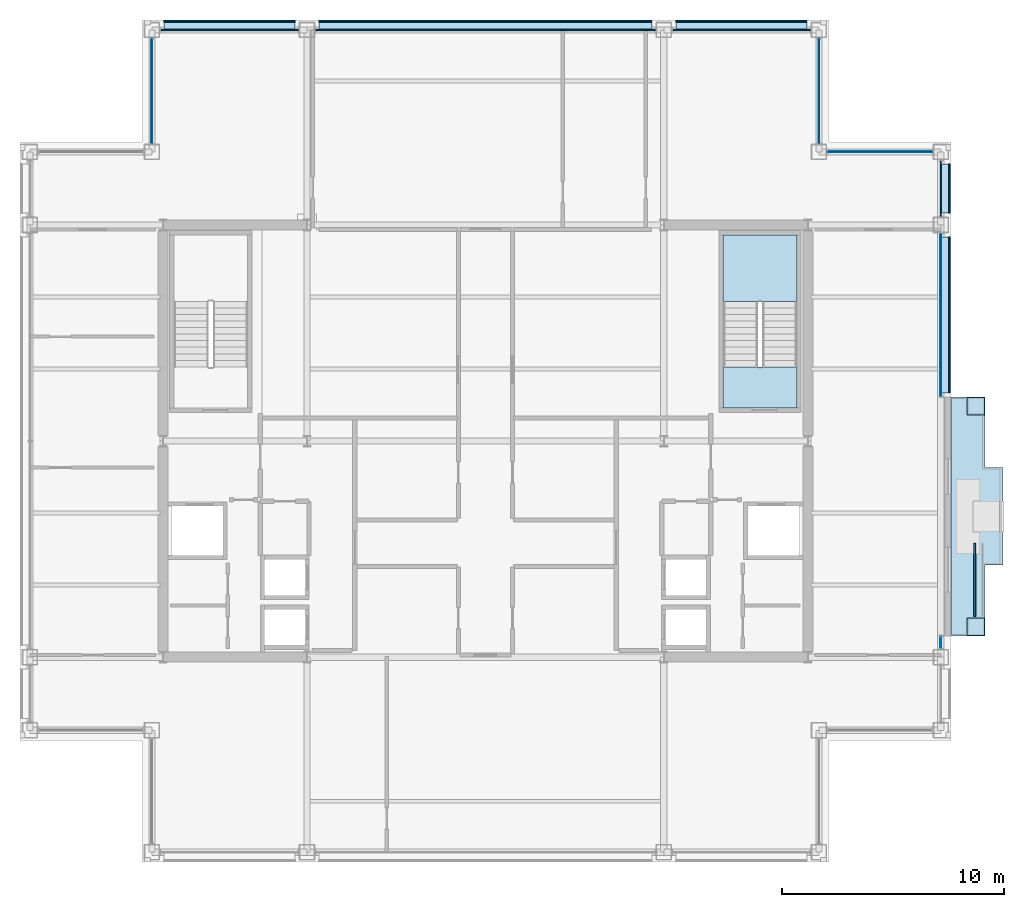
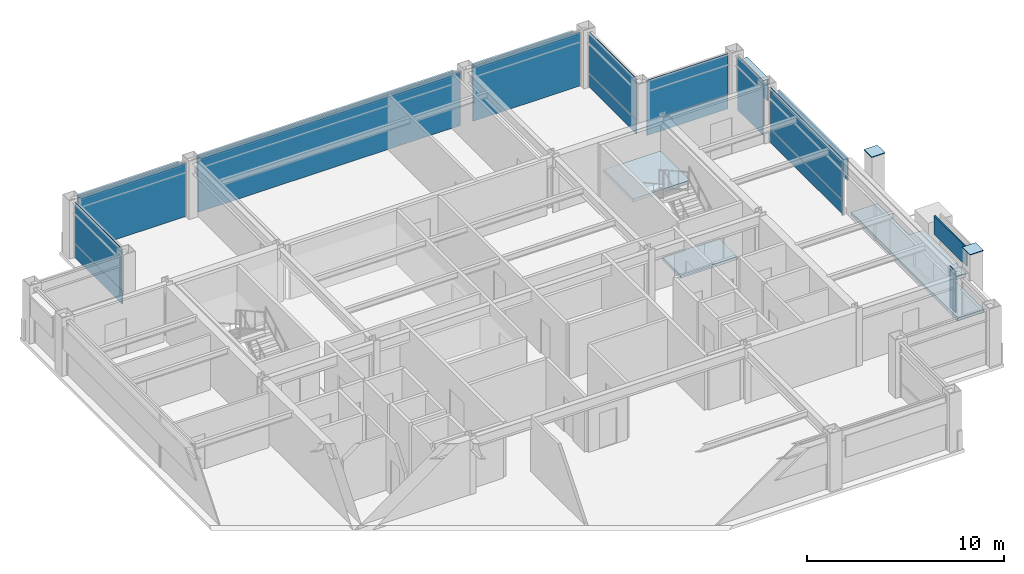
# One storey, part 23 of 28: 26 plates, 3 slabs, 10 elements without a shape of their own.
"""IFC4 building model written with IfcOpenShell, lengths in metres."""

import ifcopenshell
import ifcopenshell.guid

model = None  # the IFC model being written
_history = None  # IfcOwnerHistory: only IFC2X3 demands one
_inside = {}  # id of a spatial element -> (the spatial element, [elements in it])
_under = {}  # id of a project, library or spatial element -> (it, [spatial elements below it])
_declared = {}  # id of a project -> (the project, [libraries it declares])
_typed = {}  # id of a type object -> (the type object, [elements of that type])
_made_of = {}  # id of a material, layer set ... -> (it, [elements and type objects made of it])


def new_model(schema):
    """Start an empty IFC model of exactly this schema.

    Asked for "IFC4X3", IfcOpenShell would pick the latest addendum, in which some entities
    have other attributes; the version numbers below select the first issue.
    IFC2X3 requires an IfcOwnerHistory on every rooted entity: one is made here for all.
    """
    global model, _history
    if schema == "IFC4X3":
        model = ifcopenshell.file(schema_version=(4, 3, 0, 0))
    else:
        model = ifcopenshell.file(schema=schema)
    _inside.clear()
    _under.clear()
    _declared.clear()
    _typed.clear()
    _made_of.clear()
    _history = None
    if model.schema == "IFC2X3":
        org = make("IfcOrganization", Name="unknown")
        user = make(
            "IfcPersonAndOrganization",
            ThePerson=make("IfcPerson", FamilyName="unknown"),
            TheOrganization=org,
        )
        app = make(
            "IfcApplication",
            ApplicationDeveloper=org,
            Version="unknown",
            ApplicationFullName="unknown",
            ApplicationIdentifier="unknown",
        )
        _history = make(
            "IfcOwnerHistory",
            OwningUser=user,
            OwningApplication=app,
            ChangeAction="ADDED",
            CreationDate=0,
        )
    return model


def make(cls, **values):
    """One entity of the class cls with the attributes given. An attribute that is None is left unset."""
    return model.create_entity(
        cls, **{name: value for name, value in values.items() if value is not None}
    )


def rooted(cls, **values):
    """An entity with a GlobalId (a new one), such as an element, a storey or a relation."""
    return make(cls, GlobalId=ifcopenshell.guid.new(), OwnerHistory=_history, **values)


def si_unit(unit_type, name, prefix=None):
    """IfcSIUnit, for example si_unit("LENGTHUNIT", "METRE", prefix="MILLI")."""
    return make("IfcSIUnit", UnitType=unit_type, Prefix=prefix, Name=name)


def assignment(units):
    """IfcUnitAssignment: the units of a project."""
    return None if units is None else make("IfcUnitAssignment", Units=units)


def point(xyz):
    """IfcCartesianPoint."""
    return None if xyz is None else make("IfcCartesianPoint", Coordinates=xyz)


def direction(xyz):
    """IfcDirection."""
    return None if xyz is None else make("IfcDirection", DirectionRatios=xyz)


def frame(location, z_axis=None, x_axis=None):
    """IfcAxis2Placement3D, a coordinate frame: its origin and axes. An axis left out is left unset."""
    return make(
        "IfcAxis2Placement3D",
        Location=point(location),
        Axis=direction(z_axis),
        RefDirection=direction(x_axis),
    )


def frame_2d(location, x_axis=None):
    """IfcAxis2Placement2D, a coordinate frame in the plane: its origin and x axis."""
    return make(
        "IfcAxis2Placement2D", Location=point(location), RefDirection=direction(x_axis)
    )


def origin():
    """The frame at (0, 0, 0) with its axes left unset."""
    return frame((0.0, 0.0, 0.0))


def origin_2d():
    """The frame at (0, 0) in the plane with its x axis left unset."""
    return frame_2d((0.0, 0.0))


def place(relative_to, where):
    """IfcLocalPlacement: puts the frame where relative to a parent placement (None: the world)."""
    return make(
        "IfcLocalPlacement", PlacementRelTo=relative_to, RelativePlacement=where
    )


def context(
    kind, dimensions, precision=None, world=None, true_north=None, identifier=None
):
    """IfcGeometricRepresentationContext, for example the 3D "Model" context."""
    return make(
        "IfcGeometricRepresentationContext",
        ContextIdentifier=identifier,
        ContextType=kind,
        CoordinateSpaceDimension=dimensions,
        Precision=precision,
        WorldCoordinateSystem=world,
        TrueNorth=true_north,
    )


def subcontext(parent, identifier, kind, view, scale=None):
    """IfcGeometricRepresentationSubContext, for example "Body" below "Model"."""
    return make(
        "IfcGeometricRepresentationSubContext",
        ContextIdentifier=identifier,
        ContextType=kind,
        ParentContext=parent,
        TargetScale=scale,
        TargetView=view,
    )


def project(units=None, contexts=None):
    """IfcProject with its units and contexts."""
    return rooted(
        "IfcProject",
        Name="project",
        RepresentationContexts=contexts,
        UnitsInContext=assignment(units),
    )


def spatial(cls, under=None, at=None, **own):
    """A site, building, storey or space (cls), placed at a placement, below another one or the project."""
    s = rooted(cls, ObjectPlacement=at, **own)
    if under is not None:
        _under.setdefault(under.id(), (under, []))[1].append(s)
    return s


def polyline(points):
    """IfcPolyline through the points."""
    return make("IfcPolyline", Points=[point(p) for p in points])


def profile(cls, at=None, kind="AREA", **sizes):
    """A parametric profile (cls). Its sizes go by their IFC names, for example OverallWidth=200.0."""
    return make(cls, ProfileType=kind, Position=at, **sizes)


def rectangle(**sizes):
    """IfcRectangleProfileDef."""
    return profile("IfcRectangleProfileDef", **sizes)


def outline(outer, holes=None, kind="AREA"):
    """IfcArbitraryClosedProfileDef: a profile drawn as a closed curve; with holes, ...WithVoids."""
    if holes is None:
        return make("IfcArbitraryClosedProfileDef", ProfileType=kind, OuterCurve=outer)
    return make(
        "IfcArbitraryProfileDefWithVoids",
        ProfileType=kind,
        OuterCurve=outer,
        InnerCurves=holes,
    )


def extrude(swept, where, along, depth):
    """IfcExtrudedAreaSolid: the profile swept, set in the frame where, extruded along a direction by depth."""
    return make(
        "IfcExtrudedAreaSolid",
        SweptArea=swept,
        Position=where,
        ExtrudedDirection=direction(along),
        Depth=depth,
    )


def shape(context_of_items, identifier, shape_type, items):
    """IfcShapeRepresentation: the items that make up one representation, for example the "Body"."""
    return make(
        "IfcShapeRepresentation",
        ContextOfItems=context_of_items,
        RepresentationIdentifier=identifier,
        RepresentationType=shape_type,
        Items=items,
    )


def material(Name=None, Category=None):
    """IfcMaterial."""
    return make("IfcMaterial", Name=Name, Category=Category)


def layer(
    of_material, thickness, ventilated=None, Name=None, Category=None, Priority=None
):
    """IfcMaterialLayer: one layer of a wall or slab, of a material (None: an air gap)."""
    return make(
        "IfcMaterialLayer",
        Material=of_material,
        LayerThickness=thickness,
        IsVentilated=ventilated,
        Name=Name,
        Category=Category,
        Priority=Priority,
    )


def layer_set(layers, Name=None):
    """IfcMaterialLayerSet."""
    return make("IfcMaterialLayerSet", MaterialLayers=layers, LayerSetName=Name)


def made_of(thing, what):
    """Note that an element or type object is made of a material, layer set ...; save() writes the relation."""
    if what is not None:
        _made_of.setdefault(what.id(), (what, []))[1].append(thing)
    return thing


def type_object(cls, material=None, **own):
    """A type object (cls), such as IfcWallType, which elements share."""
    return made_of(rooted(cls, **own), material)


def element(
    cls,
    number,
    at=None,
    inside=None,
    cuts=None,
    type_object=None,
    material=None,
    context=None,
    identifier="Body",
    shape_type=None,
    held_by="IfcProductDefinitionShape",
    body=None,
    shapes=None,
    **own,
):
    """One element of the class cls, such as IfcWall. Its Tag is "e" and its number.

    at: its placement. inside: the storey or other place that contains it. cuts: it is an
    opening in that element (IfcRelVoidsElement). A single representation is given by context,
    identifier, shape_type and body (its items); several are given by shapes. held_by: the class
    of the entity that holds the representations. save() writes the other relations.
    """
    e = rooted(cls, Tag="e%d" % number, ObjectPlacement=at, **own)
    if body is not None:
        shapes = [shape(context, identifier, shape_type, body)]
    if shapes is not None:
        e.Representation = make(held_by, Representations=shapes)
    if inside is not None:
        _inside.setdefault(inside.id(), (inside, []))[1].append(e)
    if cuts is not None:
        rooted(
            "IfcRelVoidsElement", RelatingBuildingElement=cuts, RelatedOpeningElement=e
        )
    if type_object is not None:
        _typed.setdefault(type_object.id(), (type_object, []))[1].append(e)
    return made_of(e, material)


def aggregate(whole, parts):
    """IfcRelAggregates: a whole, such as a stair, and the parts it consists of."""
    return rooted("IfcRelAggregates", RelatingObject=whole, RelatedObjects=parts)


def save(model, path):
    """Write the relations noted so far, then the file.

    IfcRelAggregates (storeys below a building ...), IfcRelContainedInSpatialStructure (elements
    in a storey), IfcRelDefinesByType, IfcRelAssociatesMaterial and IfcRelDeclares: one each for
    every whole, place, type object, material and project.
    """
    for whole, parts in _under.values():
        aggregate(whole, parts)
    for where, things in _inside.values():
        rooted(
            "IfcRelContainedInSpatialStructure",
            RelatedElements=things,
            RelatingStructure=where,
        )
    for kind, things in _typed.values():
        rooted("IfcRelDefinesByType", RelatedObjects=things, RelatingType=kind)
    for what, things in _made_of.values():
        rooted("IfcRelAssociatesMaterial", RelatedObjects=things, RelatingMaterial=what)
    for by, libraries in _declared.values():
        rooted("IfcRelDeclares", RelatingContext=by, RelatedDefinitions=libraries)
    model.write(path)


model = new_model("IFC4")

# Units and contexts
model_context = context("Model", 3, precision=1e-05, world=origin(), true_north=direction((0.0, 1.0)))
body_context = subcontext(model_context, "Body", "Model", "MODEL_VIEW")
ifc_project = project(units=[si_unit("LENGTHUNIT", "METRE"), si_unit("AREAUNIT", "SQUARE_METRE"), si_unit("VOLUMEUNIT", "CUBIC_METRE"), si_unit("PLANEANGLEUNIT", "RADIAN"), si_unit("MASSUNIT", "GRAM", prefix="KILO")], contexts=[model_context])

# Site, building, storey
site_placement = place(None, origin())
site = spatial("IfcSite", under=ifc_project, at=site_placement, CompositionType="ELEMENT")
building_placement = place(site_placement, origin())
building = spatial("IfcBuilding", under=site, at=building_placement, Name="Brelmoor Portico Tower", CompositionType="ELEMENT")
storey_placement = place(building_placement, frame((0.0, 0.0, 191.10009765625)))
storey = spatial("IfcBuildingStorey", under=building, at=storey_placement, Name="L50", CompositionType="ELEMENT", Elevation=191.10009765625)

# Plates
ifc_material_1 = material(Name="Steel Q355B", Category="steel")
ifc_layer_1 = layer(ifc_material_1, 0.044921875)
ifc_layer_set_1 = layer_set([ifc_layer_1], Name="Steel Q355B")
plate_type_1 = type_object("IfcPlateType", Name="PT-CAP-650", PredefinedType="SHEET", material=ifc_layer_set_1)
for number, where, z_axis, x_axis, name in (
    (1, (22.1298828125, -8.3798828125, 3.599853515625), (0.0, 0.0, 1.0), (0.0, 1.0, 0.0), "L50 Proud Picture-Frame Pier PFJ-E1 Welded Head Cap Plate"),
    (2, (22.1298828125, 1.580078125, 3.599853515625), (0.0, 0.0, 1.0), (0.0, 1.0, 0.0), "L50 Proud Picture-Frame Pier PFJ-E2 Welded Head Cap Plate"),
):
    element("IfcPlate", number, at=place(storey_placement, frame(where, z_axis=z_axis, x_axis=x_axis)), inside=storey, type_object=plate_type_1, Name=name, PredefinedType="SHEET", context=body_context, shape_type="SweptSolid", body=[
        extrude(rectangle(XDim=0.7900390625, YDim=0.7900390625, at=origin_2d()), origin(), (0.0, 0.0, 1.0), 0.0400390625),
    ])

# Curtain wall, plate
ifc_material_2 = material(Name="Anodised Aluminium Alloy 6063-T6", Category="aluminium")
ifc_layer_2 = layer(ifc_material_2, 0.179931640625)
ifc_layer_set_2 = layer_set([ifc_layer_2], Name="Anodised Aluminium Alloy 6063-T6")
curtain_wall_type_1 = type_object("IfcCurtainWallType", Name="CW-TOWER-Z3", PredefinedType="NOTDEFINED", material=ifc_layer_set_2)
curtain_wall_1_placement = place(storey_placement, origin())
curtain_wall_1 = element("IfcCurtainWall", 3, at=curtain_wall_1_placement, inside=storey, type_object=curtain_wall_type_1, Name="L50 Curtain Wall CW-L50-4L-2", PredefinedType="NOTDEFINED")
ifc_material_3 = material(Name="Double-Silver Low-E Insulated Glazing", Category="glass")
ifc_layer_3 = layer(ifc_material_3, 0.035888671875)
ifc_layer_set_3 = layer_set([ifc_layer_3], Name="Double-Silver Low-E Insulated Glazing")
plate_type_2 = type_object("IfcPlateType", Name="PT-CW-GLASS", PredefinedType="CURTAIN_PANEL", material=ifc_layer_set_3)
plate_1_placement = place(storey_placement, frame((20.550048828125, -9.094970703125, 0.85009765625), z_axis=(0.0, 0.0, 1.0), x_axis=(0.0, 1.0, 0.0)))
plate_1 = element("IfcPlate", 4, at=plate_1_placement, type_object=plate_type_2, Name="CW-L50-4L-2 Vision Glass Panel 00", PredefinedType="CURTAIN_PANEL", context=body_context, shape_type="SweptSolid", body=[
    extrude(rectangle(XDim=0.56005859375, YDim=0.035888671875, at=origin_2d()), origin(), (0.0, 0.0, 1.0), 2.550048828125),
])
aggregate(curtain_wall_1, [plate_1])

curtain_wall_2_placement = place(storey_placement, origin())
curtain_wall_2 = element("IfcCurtainWall", 5, at=curtain_wall_2_placement, inside=storey, type_object=curtain_wall_type_1, Name="L50 Curtain Wall CW-L50-4R-1", PredefinedType="NOTDEFINED")
plate_2_placement = place(storey_placement, frame((20.550048828125, 5.695068359375, 0.85009765625), z_axis=(0.0, 0.0, 1.0), x_axis=(0.0, 1.0, 0.0)))
plate_2 = element("IfcPlate", 6, at=plate_2_placement, type_object=plate_type_2, Name="CW-L50-4R-1 Vision Glass Panel 00", PredefinedType="CURTAIN_PANEL", context=body_context, shape_type="SweptSolid", body=[
    extrude(rectangle(XDim=7.360107421875, YDim=0.035888671875, at=origin_2d()), origin(), (0.0, 0.0, 1.0), 2.550048828125),
])

ifc_layer_4 = layer(ifc_material_2, 0.179931640625)
ifc_layer_set_4 = layer_set([ifc_layer_4], Name="Anodised Aluminium Alloy 6063-T6")
curtain_wall_type_2 = type_object("IfcCurtainWallType", Name="CW-NOTCH-CHAMFER", PredefinedType="NOTDEFINED", material=ifc_layer_set_4)
curtain_wall_3_placement = place(storey_placement, origin())
curtain_wall_3 = element("IfcCurtainWall", 7, at=curtain_wall_3_placement, inside=storey, type_object=curtain_wall_type_2, Name="L50 Curtain Wall CWN-L50-NWV", PredefinedType="NOTDEFINED")
plate_3_placement = place(storey_placement, frame((-15.050048828125, 15.800048828125, 0.85009765625), z_axis=(0.0, 0.0, 1.0), x_axis=(0.0, 1.0, 0.0)))
plate_3 = element("IfcPlate", 8, at=plate_3_placement, type_object=plate_type_2, Name="CWN-L50-NWV Vision Glass Panel 00", PredefinedType="CURTAIN_PANEL", context=body_context, shape_type="SweptSolid", body=[
    extrude(rectangle(XDim=4.75, YDim=0.035888671875, at=origin_2d()), origin(), (0.0, 0.0, 1.0), 2.550048828125),
])

curtain_wall_4_placement = place(storey_placement, origin())
curtain_wall_4 = element("IfcCurtainWall", 9, at=curtain_wall_4_placement, inside=storey, type_object=curtain_wall_type_2, Name="L50 Curtain Wall CWN-L50-NEH", PredefinedType="NOTDEFINED")
plate_4_placement = place(storey_placement, frame((17.800048828125, 13.050048828125, 0.85009765625), z_axis=(0.0, 0.0, 1.0), x_axis=(1.0, 0.0, 0.0)))
plate_4 = element("IfcPlate", 10, at=plate_4_placement, type_object=plate_type_2, Name="CWN-L50-NEH Vision Glass Panel 00", PredefinedType="CURTAIN_PANEL", context=body_context, shape_type="SweptSolid", body=[
    extrude(rectangle(XDim=4.75, YDim=0.035888671875, at=origin_2d()), origin(), (0.0, 0.0, 1.0), 2.550048828125),
])

curtain_wall_5_placement = place(storey_placement, origin())
curtain_wall_5 = element("IfcCurtainWall", 11, at=curtain_wall_5_placement, inside=storey, type_object=curtain_wall_type_2, Name="L50 Curtain Wall CWN-L50-NEV", PredefinedType="NOTDEFINED")
plate_5_placement = place(storey_placement, frame((15.050048828125, 15.800048828125, 0.85009765625), z_axis=(0.0, 0.0, 1.0), x_axis=(0.0, 1.0, 0.0)))
plate_5 = element("IfcPlate", 12, at=plate_5_placement, type_object=plate_type_2, Name="CWN-L50-NEV Vision Glass Panel 00", PredefinedType="CURTAIN_PANEL", context=body_context, shape_type="SweptSolid", body=[
    extrude(rectangle(XDim=4.75, YDim=0.035888671875, at=origin_2d()), origin(), (0.0, 0.0, 1.0), 2.550048828125),
])

ifc_layer_5 = layer(ifc_material_2, 0.179931640625)
ifc_layer_set_5 = layer_set([ifc_layer_5], Name="Anodised Aluminium Alloy 6063-T6")
curtain_wall_type_3 = type_object("IfcCurtainWallType", Name="CW-TOWER-Z3-XB", PredefinedType="NOTDEFINED", material=ifc_layer_set_5)
curtain_wall_6_placement = place(storey_placement, origin())
curtain_wall_6 = element("IfcCurtainWall", 13, at=curtain_wall_6_placement, inside=storey, type_object=curtain_wall_type_3, Name="L50 Curtain Wall CW-L50-02-1", PredefinedType="NOTDEFINED")
ifc_material_4 = material(Name="Pale Champagne Anodised Aluminium Panel", Category="aluminium")
ifc_layer_6 = layer(ifc_material_4, 0.050048828125)
ifc_layer_set_6 = layer_set([ifc_layer_6], Name="Pale Champagne Anodised Aluminium Panel")
plate_type_3 = type_object("IfcPlateType", Name="PT-CW-SPANDREL", PredefinedType="SHEET", material=ifc_layer_set_6)
plate_6_placement = place(storey_placement, frame((-11.550048828125, 18.550048828125, 0.0), z_axis=(0.0, 0.0, 1.0), x_axis=(1.0, 0.0, 0.0)))
plate_6 = element("IfcPlate", 14, at=plate_6_placement, type_object=plate_type_3, Name="CW-L50-02-1 Spandrel Panel 00", PredefinedType="SHEET", context=body_context, shape_type="SweptSolid", body=[
    extrude(rectangle(XDim=6.25, YDim=0.050048828125, at=origin_2d()), origin(), (0.0, 0.0, 1.0), 3.33740234375),
])
aggregate(curtain_wall_6, [plate_6])

curtain_wall_7_placement = place(storey_placement, origin())
curtain_wall_7 = element("IfcCurtainWall", 15, at=curtain_wall_7_placement, inside=storey, type_object=curtain_wall_type_3, Name="L50 Curtain Wall CW-L50-02-2", PredefinedType="NOTDEFINED")
plate_7_placement = place(storey_placement, frame((0.0, 18.550048828125, 0.0), z_axis=(0.0, 0.0, 1.0), x_axis=(1.0, 0.0, 0.0)))
plate_7 = element("IfcPlate", 16, at=plate_7_placement, type_object=plate_type_3, Name="CW-L50-02-2 Spandrel Panel 00", PredefinedType="SHEET", context=body_context, shape_type="SweptSolid", body=[
    extrude(rectangle(XDim=15.35009765625, YDim=0.050048828125, at=origin_2d()), origin(), (0.0, 0.0, 1.0), 3.33740234375),
])
aggregate(curtain_wall_7, [plate_7])

curtain_wall_8_placement = place(storey_placement, origin())
curtain_wall_8 = element("IfcCurtainWall", 17, at=curtain_wall_8_placement, inside=storey, type_object=curtain_wall_type_3, Name="L50 Curtain Wall CW-L50-02-3", PredefinedType="NOTDEFINED")
plate_8_placement = place(storey_placement, frame((11.550048828125, 18.550048828125, 0.0), z_axis=(0.0, 0.0, 1.0), x_axis=(1.0, 0.0, 0.0)))
plate_8 = element("IfcPlate", 18, at=plate_8_placement, type_object=plate_type_3, Name="CW-L50-02-3 Spandrel Panel 00", PredefinedType="SHEET", context=body_context, shape_type="SweptSolid", body=[
    extrude(rectangle(XDim=6.25, YDim=0.050048828125, at=origin_2d()), origin(), (0.0, 0.0, 1.0), 3.33740234375),
])
aggregate(curtain_wall_8, [plate_8])

# Plate
plate_9_placement = place(storey_placement, frame((20.550048828125, 5.695068359375, -0.000244140625), z_axis=(0.0, 0.0, 1.0), x_axis=(0.0, 1.0, 0.0)))
plate_9 = element("IfcPlate", 19, at=plate_9_placement, type_object=plate_type_3, Name="CW-L50-4R-1 Spandrel Panel 00", PredefinedType="SHEET", context=body_context, shape_type="SweptSolid", body=[
    extrude(rectangle(XDim=7.360107421875, YDim=0.050048828125, at=origin_2d()), origin(), (0.0, 0.0, 1.0), 0.85009765625),
])

aggregate(curtain_wall_2, [plate_9, plate_2])

# Curtain wall, plate
curtain_wall_9_placement = place(storey_placement, origin())
curtain_wall_9 = element("IfcCurtainWall", 20, at=curtain_wall_9_placement, inside=storey, type_object=curtain_wall_type_3, Name="L50 Curtain Wall CW-L50-4R-2", PredefinedType="NOTDEFINED")
plate_10_placement = place(storey_placement, frame((20.550048828125, 11.39990234375, 0.0), z_axis=(0.0, 0.0, 1.0), x_axis=(0.0, 1.0, 0.0)))
plate_10 = element("IfcPlate", 21, at=plate_10_placement, type_object=plate_type_3, Name="CW-L50-4R-2 Spandrel Panel 00", PredefinedType="SHEET", context=body_context, shape_type="SweptSolid", body=[
    extrude(rectangle(XDim=2.550048828125, YDim=0.050048828125, at=origin_2d()), origin(), (0.0, 0.0, 1.0), 3.33740234375),
])
aggregate(curtain_wall_9, [plate_10])

# Plate
plate_11_placement = place(storey_placement, frame((-15.050048828125, 15.800048828125, -0.000244140625), z_axis=(0.0, 0.0, 1.0), x_axis=(0.0, 1.0, 0.0)))
plate_11 = element("IfcPlate", 22, at=plate_11_placement, type_object=plate_type_3, Name="CWN-L50-NWV Spandrel Panel 00", PredefinedType="SHEET", context=body_context, shape_type="SweptSolid", body=[
    extrude(rectangle(XDim=4.75, YDim=0.050048828125, at=origin_2d()), origin(), (0.0, 0.0, 1.0), 0.85009765625),
])

aggregate(curtain_wall_3, [plate_11, plate_3])

plate_12_placement = place(storey_placement, frame((17.800048828125, 13.050048828125, -0.000244140625), z_axis=(0.0, 0.0, 1.0), x_axis=(1.0, 0.0, 0.0)))
plate_12 = element("IfcPlate", 23, at=plate_12_placement, type_object=plate_type_3, Name="CWN-L50-NEH Spandrel Panel 00", PredefinedType="SHEET", context=body_context, shape_type="SweptSolid", body=[
    extrude(rectangle(XDim=4.75, YDim=0.050048828125, at=origin_2d()), origin(), (0.0, 0.0, 1.0), 0.85009765625),
])

aggregate(curtain_wall_4, [plate_12, plate_4])

plate_13_placement = place(storey_placement, frame((15.050048828125, 15.800048828125, -0.000244140625), z_axis=(0.0, 0.0, 1.0), x_axis=(0.0, 1.0, 0.0)))
plate_13 = element("IfcPlate", 24, at=plate_13_placement, type_object=plate_type_3, Name="CWN-L50-NEV Spandrel Panel 00", PredefinedType="SHEET", context=body_context, shape_type="SweptSolid", body=[
    extrude(rectangle(XDim=4.75, YDim=0.050048828125, at=origin_2d()), origin(), (0.0, 0.0, 1.0), 0.85009765625),
])

aggregate(curtain_wall_5, [plate_13, plate_5])

# Plates
ifc_material_5 = material(Name="Powder-Coated Aluminium Shuttered Jalousie Louvre", Category="aluminium")
ifc_layer_7 = layer(ifc_material_5, 0.06005859375)
ifc_layer_set_7 = layer_set([ifc_layer_7], Name="Powder-Coated Aluminium Shuttered Jalousie Louvre")
plate_type_4 = type_object("IfcPlateType", Name="PT-JALOUSIE-SHUTTER", PredefinedType="SHEET", material=ifc_layer_set_7)
plate_14_placement = place(storey_placement, frame((-11.550048828125, 18.929931640625, 1.8740234375), z_axis=(0.0, 0.0, 1.0), x_axis=(1.0, 0.0, 0.0)))
element("IfcPlate", 25, at=plate_14_placement, inside=storey, type_object=plate_type_4, Name="CW-L50-02-1 Perforated Jalousie Solar Screen", PredefinedType="SHEET", context=body_context, shape_type="SweptSolid", body=[
    extrude(rectangle(XDim=5.919921875, YDim=0.06494140625, at=origin_2d()), origin(), (0.0, 0.0, 1.0), 1.325927734375),
])
plate_15_placement = place(storey_placement, frame((0.0, 18.929931640625, 1.8740234375), z_axis=(0.0, 0.0, 1.0), x_axis=(1.0, 0.0, 0.0)))
element("IfcPlate", 26, at=plate_15_placement, inside=storey, type_object=plate_type_4, Name="CW-L50-02-2 Perforated Jalousie Solar Screen", PredefinedType="SHEET", context=body_context, shape_type="SweptSolid", body=[
    extrude(rectangle(XDim=15.02001953125, YDim=0.06494140625, at=origin_2d()), origin(), (0.0, 0.0, 1.0), 1.325927734375),
])
plate_16_placement = place(storey_placement, frame((11.550048828125, 18.929931640625, 1.8740234375), z_axis=(0.0, 0.0, 1.0), x_axis=(1.0, 0.0, 0.0)))
element("IfcPlate", 27, at=plate_16_placement, inside=storey, type_object=plate_type_4, Name="CW-L50-02-3 Perforated Jalousie Solar Screen", PredefinedType="SHEET", context=body_context, shape_type="SweptSolid", body=[
    extrude(rectangle(XDim=5.919921875, YDim=0.06494140625, at=origin_2d()), origin(), (0.0, 0.0, 1.0), 1.325927734375),
])
plate_17_placement = place(storey_placement, frame((20.929931640625, 5.695068359375, 1.8740234375), z_axis=(0.0, 0.0, 1.0), x_axis=(0.0, 1.0, 0.0)))
element("IfcPlate", 28, at=plate_17_placement, inside=storey, type_object=plate_type_4, Name="CW-L50-4R-1 Perforated Jalousie Solar Screen", PredefinedType="SHEET", context=body_context, shape_type="SweptSolid", body=[
    extrude(rectangle(XDim=7.030029296875, YDim=0.06494140625, at=origin_2d()), origin(), (0.0, 0.0, 1.0), 1.325927734375),
])
plate_18_placement = place(storey_placement, frame((20.929931640625, 11.39990234375, 1.8740234375), z_axis=(0.0, 0.0, 1.0), x_axis=(0.0, 1.0, 0.0)))
element("IfcPlate", 29, at=plate_18_placement, inside=storey, type_object=plate_type_4, Name="CW-L50-4R-2 Perforated Jalousie Solar Screen", PredefinedType="SHEET", context=body_context, shape_type="SweptSolid", body=[
    extrude(rectangle(XDim=2.219970703125, YDim=0.06494140625, at=origin_2d()), origin(), (0.0, 0.0, 1.0), 1.325927734375),
])
plate_19_placement = place(storey_placement, frame((22.080078125, -6.25, 2.27490234375), z_axis=(0.0, 0.0, 1.0), x_axis=(0.0, 1.0, 0.0)))
element("IfcPlate", 30, at=plate_19_placement, inside=storey, type_object=plate_type_4, Name="L50 Shuttered Veranda Screen E", PredefinedType="SHEET", context=body_context, shape_type="SweptSolid", body=[
    extrude(rectangle(XDim=3.300048828125, YDim=0.080078125, at=origin_2d()), origin(), (0.0, 0.0, 1.0), 1.14990234375),
])
ifc_material_6 = material(Name="Pale Champagne Perforated Aluminium Solar Screen", Category="aluminium")
ifc_layer_8 = layer(ifc_material_6, 0.054931640625)
ifc_layer_set_8 = layer_set([ifc_layer_8], Name="Pale Champagne Perforated Aluminium Solar Screen")
plate_type_5 = type_object("IfcPlateType", Name="PT-SOLAR-LOUVRE", PredefinedType="SHEET", material=ifc_layer_set_8)
plate_20_placement = place(storey_placement, frame((-11.550048828125, 18.760009765625, 3.08984375), z_axis=(0.0, 0.0, 1.0), x_axis=(1.0, 0.0, 0.0)))
element("IfcPlate", 31, at=plate_20_placement, inside=storey, type_object=plate_type_5, Name="CW-L50-02-1 Caribbean Brise-Soleil Solar Screen", PredefinedType="SHEET", context=body_context, shape_type="SweptSolid", body=[
    extrude(rectangle(XDim=5.919921875, YDim=0.4599609375, at=origin_2d()), origin(), (0.0, 0.0, 1.0), 0.139892578125),
])
plate_21_placement = place(storey_placement, frame((0.0, 18.760009765625, 3.08984375), z_axis=(0.0, 0.0, 1.0), x_axis=(1.0, 0.0, 0.0)))
element("IfcPlate", 32, at=plate_21_placement, inside=storey, type_object=plate_type_5, Name="CW-L50-02-2 Caribbean Brise-Soleil Solar Screen", PredefinedType="SHEET", context=body_context, shape_type="SweptSolid", body=[
    extrude(rectangle(XDim=15.02001953125, YDim=0.4599609375, at=origin_2d()), origin(), (0.0, 0.0, 1.0), 0.139892578125),
])
plate_22_placement = place(storey_placement, frame((11.550048828125, 18.760009765625, 3.08984375), z_axis=(0.0, 0.0, 1.0), x_axis=(1.0, 0.0, 0.0)))
element("IfcPlate", 33, at=plate_22_placement, inside=storey, type_object=plate_type_5, Name="CW-L50-02-3 Caribbean Brise-Soleil Solar Screen", PredefinedType="SHEET", context=body_context, shape_type="SweptSolid", body=[
    extrude(rectangle(XDim=5.919921875, YDim=0.4599609375, at=origin_2d()), origin(), (0.0, 0.0, 1.0), 0.139892578125),
])
plate_23_placement = place(storey_placement, frame((20.760009765625, 5.695068359375, 3.08984375), z_axis=(0.0, 0.0, 1.0), x_axis=(0.0, 1.0, 0.0)))
element("IfcPlate", 34, at=plate_23_placement, inside=storey, type_object=plate_type_5, Name="CW-L50-4R-1 Caribbean Brise-Soleil Solar Screen", PredefinedType="SHEET", context=body_context, shape_type="SweptSolid", body=[
    extrude(rectangle(XDim=7.030029296875, YDim=0.4599609375, at=origin_2d()), origin(), (0.0, 0.0, 1.0), 0.139892578125),
])
plate_24_placement = place(storey_placement, frame((20.760009765625, 11.39990234375, 3.08984375), z_axis=(0.0, 0.0, 1.0), x_axis=(0.0, 1.0, 0.0)))
element("IfcPlate", 35, at=plate_24_placement, inside=storey, type_object=plate_type_5, Name="CW-L50-4R-2 Caribbean Brise-Soleil Solar Screen", PredefinedType="SHEET", context=body_context, shape_type="SweptSolid", body=[
    extrude(rectangle(XDim=2.219970703125, YDim=0.4599609375, at=origin_2d()), origin(), (0.0, 0.0, 1.0), 0.139892578125),
])

# Slab
ifc_material_7 = material(Name="Concrete C40", Category="concrete")
ifc_layer_9 = layer(ifc_material_7, 0.199951171875)
ifc_layer_set_9 = layer_set([ifc_layer_9], Name="Concrete C40")
slab_type_1 = type_object("IfcSlabType", Name="SL-BALCONY-200", PredefinedType="FLOOR", material=ifc_layer_set_9)
slab_1_placement = place(storey_placement, frame((0.0, 0.0, -0.2001953125)))
element("IfcSlab", 36, at=slab_1_placement, inside=storey, type_object=slab_type_1, Name="L50 Loggia Tree Balcony Slab E", PredefinedType="FLOOR", context=body_context, shape_type="SweptSolid", body=[
    extrude(outline(polyline([(21.0, -8.800048828125), (22.550048828125, -8.800048828125), (22.550048828125, -5.60009765625), (23.35009765625, -5.60009765625), (23.35009765625, -1.199951171875), (22.550048828125, -1.199951171875), (22.550048828125, 2.0), (21.0, 2.0), (21.0, -8.800048828125)])), origin(), (0.0, 0.0, 1.0), 0.2001953125),
])

# Stair, slab
stair_type = type_object("IfcStairType", Name="ST-CORE-E", PredefinedType="HALF_TURN_STAIR", material=ifc_material_7)
stair_placement = place(storey_placement, origin())
stair = element("IfcStair", 37, at=stair_placement, inside=storey, type_object=stair_type, Name="L50 Protected Core Exit Stair ST-E", PredefinedType="HALF_TURN_STAIR")
ifc_layer_10 = layer(ifc_material_7, 0.179931640625)
ifc_layer_set_10 = layer_set([ifc_layer_10], Name="Concrete C40")
slab_type_2 = type_object("IfcSlabType", Name="SL-LANDING-180", PredefinedType="LANDING", material=ifc_layer_set_10)
slab_2_placement = place(storey_placement, frame((0.0, 0.0, 1.599853515625)))
slab_2 = element("IfcSlab", 38, at=slab_2_placement, type_object=slab_type_2, Name="ST-E landing 1", PredefinedType="LANDING", context=body_context, shape_type="SweptSolid", body=[
    extrude(outline(polyline([(14.050048828125, 6.300048828125), (14.050048828125, 9.300048828125), (10.72998046875, 9.300048828125), (10.72998046875, 6.300048828125), (14.050048828125, 6.300048828125)])), origin(), (0.0, 0.0, 1.0), 0.199951171875),
])
aggregate(stair, [slab_2])

# Slab
ifc_layer_11 = layer(ifc_material_7, 0.199951171875)
ifc_layer_set_11 = layer_set([ifc_layer_11], Name="Concrete C40")
slab_type_3 = type_object("IfcSlabType", Name="SL-STAIR-FL200", PredefinedType="LANDING", material=ifc_layer_set_11)
slab_3_placement = place(storey_placement, frame((0.0, 0.0, -0.2001953125)))
element("IfcSlab", 39, at=slab_3_placement, inside=storey, type_object=slab_type_3, Name="L50 ST-E Structural Floor Landing Slab", PredefinedType="LANDING", context=body_context, shape_type="SweptSolid", body=[
    extrude(outline(polyline([(14.050048828125, 1.5), (14.050048828125, 3.35009765625), (10.72998046875, 3.35009765625), (10.72998046875, 1.5), (14.050048828125, 1.5)])), origin(), (0.0, 0.0, 1.0), 0.2001953125),
])

save(model, "model.ifc")
